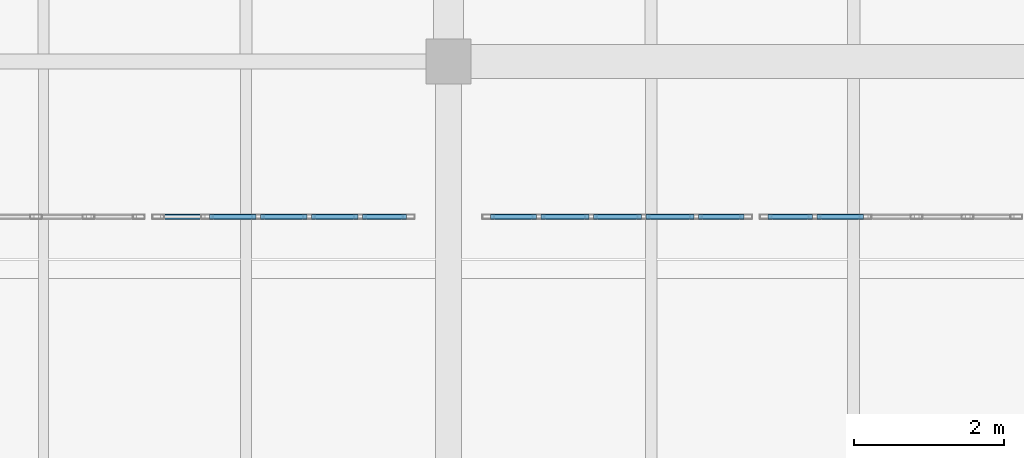
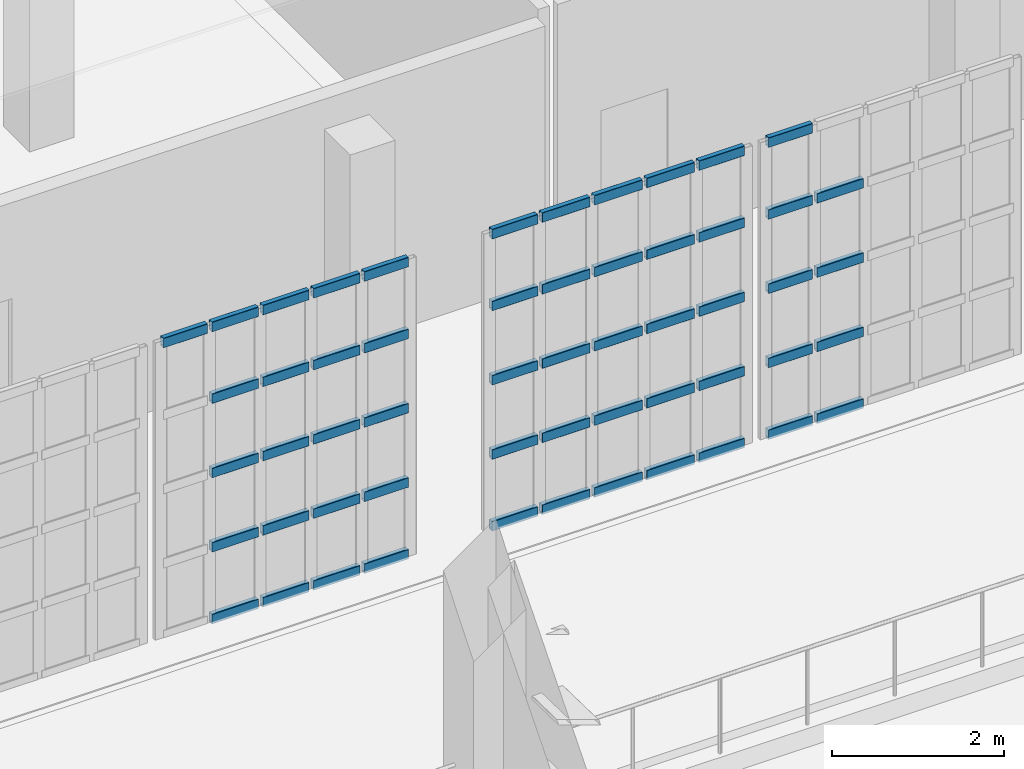
# One storey, part 40 of 73: 55 members, 3 elements without a shape of their own.
"""IFC4 building model written with IfcOpenShell, lengths in metres."""

from ifc_helpers import new_model, si_unit, direction, frame, origin, origin_2d, place, context, subcontext, project, spatial, hollow_rectangle, extrude, material, material_profile, profile_set, type_object, element, aggregate, save


model = new_model("IFC4")

# Units and contexts
model_context = context("Model", 3, precision=1e-05, world=origin(), true_north=direction((0.0, 1.0)))
body_context = subcontext(model_context, "Body", "Model", "MODEL_VIEW")
ifc_project = project(units=[si_unit("LENGTHUNIT", "METRE"), si_unit("AREAUNIT", "SQUARE_METRE"), si_unit("VOLUMEUNIT", "CUBIC_METRE"), si_unit("PLANEANGLEUNIT", "RADIAN"), si_unit("MASSUNIT", "GRAM", prefix="KILO")], contexts=[model_context])

# Site, building, storey
site_placement = place(None, origin())
site = spatial("IfcSite", under=ifc_project, at=site_placement, CompositionType="ELEMENT")
building_placement = place(site_placement, origin())
building = spatial("IfcBuilding", under=site, at=building_placement, Name="Kaelora Sail Theatre", CompositionType="ELEMENT")
storey_placement = place(building_placement, frame((0.0, 0.0, 10.199951171875)))
storey = spatial("IfcBuildingStorey", under=building, at=storey_placement, Name="L02", CompositionType="ELEMENT", Elevation=10.199951171875)

# Curtain wall, members
ifc_material_1 = material(Name="Anodised aluminium and solar-control low-E IGU", Category="aluminium")
curtain_wall_type = type_object("IfcCurtainWallType", Name="ARC-CW-CW-BRG", PredefinedType="NOTDEFINED", material=ifc_material_1)
curtain_wall_1_placement = place(storey_placement, origin())
curtain_wall_1 = element("IfcCurtainWall", 1, at=curtain_wall_1_placement, inside=storey, type_object=curtain_wall_type, Name="Glazed Foyer/Conservatory Curtain Wall FC2-S-L02-03", PredefinedType="NOTDEFINED")
ifc_material_2 = material(Name="Anodised aluminium 6063-T6", Category="aluminium")
ifc_material_profile = material_profile(ifc_material_2, hollow_rectangle(XDim=0.070068359375, YDim=0.139892578125, WallThickness=0.00390625, InnerFilletRadius=0.00390625, OuterFilletRadius=0.008056640625, at=origin_2d()), Name="ALU-TRAN 70x140x4")
ifc_profile_set = profile_set([ifc_material_profile], Name="Anodised aluminium 6063-T6")
member_type = type_object("IfcMemberType", Name="ARC-MEM-TR-140", PredefinedType="USERDEFINED", material=ifc_profile_set)
member_1_placement = place(storey_placement, frame((102.9599609375, 66.389892578125, 4.170166015625), z_axis=(1.0, 0.0, 0.0), x_axis=(0.0, 1.0, 0.0)))
member_1 = element("IfcMember", 2, at=member_1_placement, type_object=member_type, Name="CW-BRG transom 1.5", ObjectType="TRANSOM", PredefinedType="USERDEFINED", context=body_context, shape_type="SweptSolid", body=[
    extrude(hollow_rectangle(XDim=0.070068359375, YDim=0.139892578125, WallThickness=0.00390625, InnerFilletRadius=0.00390625, OuterFilletRadius=0.008056640625, at=origin_2d()), origin(), (0.0, 0.0, 1.0), 0.590087890625),
])
member_2_placement = place(storey_placement, frame((103.610107421875, 66.389892578125, 0.03515625), z_axis=(1.0, 0.0, 0.0), x_axis=(0.0, 1.0, 0.0)))
member_2 = element("IfcMember", 3, at=member_2_placement, type_object=member_type, Name="CW-BRG transom 2.1", ObjectType="TRANSOM", PredefinedType="USERDEFINED", context=body_context, shape_type="SweptSolid", body=[
    extrude(hollow_rectangle(XDim=0.070068359375, YDim=0.139892578125, WallThickness=0.00390625, InnerFilletRadius=0.00390625, OuterFilletRadius=0.008056640625, at=origin_2d()), origin(), (0.0, 0.0, 1.0), 0.619873046875),
])
member_3_placement = place(storey_placement, frame((103.610107421875, 66.389892578125, 1.05126953125), z_axis=(1.0, 0.0, 0.0), x_axis=(0.0, 1.0, 0.0)))
member_3 = element("IfcMember", 4, at=member_3_placement, type_object=member_type, Name="CW-BRG transom 2.2", ObjectType="TRANSOM", PredefinedType="USERDEFINED", context=body_context, shape_type="SweptSolid", body=[
    extrude(hollow_rectangle(XDim=0.070068359375, YDim=0.139892578125, WallThickness=0.00390625, InnerFilletRadius=0.00390625, OuterFilletRadius=0.008056640625, at=origin_2d()), origin(), (0.0, 0.0, 1.0), 0.619873046875),
])
member_4_placement = place(storey_placement, frame((103.610107421875, 66.389892578125, 2.1025390625), z_axis=(1.0, 0.0, 0.0), x_axis=(0.0, 1.0, 0.0)))
member_4 = element("IfcMember", 5, at=member_4_placement, type_object=member_type, Name="CW-BRG transom 2.3", ObjectType="TRANSOM", PredefinedType="USERDEFINED", context=body_context, shape_type="SweptSolid", body=[
    extrude(hollow_rectangle(XDim=0.070068359375, YDim=0.139892578125, WallThickness=0.00390625, InnerFilletRadius=0.00390625, OuterFilletRadius=0.008056640625, at=origin_2d()), origin(), (0.0, 0.0, 1.0), 0.619873046875),
])
member_5_placement = place(storey_placement, frame((103.610107421875, 66.389892578125, 3.15380859375), z_axis=(1.0, 0.0, 0.0), x_axis=(0.0, 1.0, 0.0)))
member_5 = element("IfcMember", 6, at=member_5_placement, type_object=member_type, Name="CW-BRG transom 2.4", ObjectType="TRANSOM", PredefinedType="USERDEFINED", context=body_context, shape_type="SweptSolid", body=[
    extrude(hollow_rectangle(XDim=0.070068359375, YDim=0.139892578125, WallThickness=0.00390625, InnerFilletRadius=0.00390625, OuterFilletRadius=0.008056640625, at=origin_2d()), origin(), (0.0, 0.0, 1.0), 0.619873046875),
])
member_6_placement = place(storey_placement, frame((103.610107421875, 66.389892578125, 4.170166015625), z_axis=(1.0, 0.0, 0.0), x_axis=(0.0, 1.0, 0.0)))
member_6 = element("IfcMember", 7, at=member_6_placement, type_object=member_type, Name="CW-BRG transom 2.5", ObjectType="TRANSOM", PredefinedType="USERDEFINED", context=body_context, shape_type="SweptSolid", body=[
    extrude(hollow_rectangle(XDim=0.070068359375, YDim=0.139892578125, WallThickness=0.00390625, InnerFilletRadius=0.00390625, OuterFilletRadius=0.008056640625, at=origin_2d()), origin(), (0.0, 0.0, 1.0), 0.619873046875),
])
member_7_placement = place(storey_placement, frame((104.2900390625, 66.389892578125, 0.03515625), z_axis=(1.0, 0.0, 0.0), x_axis=(0.0, 1.0, 0.0)))
member_7 = element("IfcMember", 8, at=member_7_placement, type_object=member_type, Name="CW-BRG transom 3.1", ObjectType="TRANSOM", PredefinedType="USERDEFINED", context=body_context, shape_type="SweptSolid", body=[
    extrude(hollow_rectangle(XDim=0.070068359375, YDim=0.139892578125, WallThickness=0.00390625, InnerFilletRadius=0.00390625, OuterFilletRadius=0.008056640625, at=origin_2d()), origin(), (0.0, 0.0, 1.0), 0.619873046875),
])
member_8_placement = place(storey_placement, frame((104.2900390625, 66.389892578125, 1.05126953125), z_axis=(1.0, 0.0, 0.0), x_axis=(0.0, 1.0, 0.0)))
member_8 = element("IfcMember", 9, at=member_8_placement, type_object=member_type, Name="CW-BRG transom 3.2", ObjectType="TRANSOM", PredefinedType="USERDEFINED", context=body_context, shape_type="SweptSolid", body=[
    extrude(hollow_rectangle(XDim=0.070068359375, YDim=0.139892578125, WallThickness=0.00390625, InnerFilletRadius=0.00390625, OuterFilletRadius=0.008056640625, at=origin_2d()), origin(), (0.0, 0.0, 1.0), 0.619873046875),
])
member_9_placement = place(storey_placement, frame((104.2900390625, 66.389892578125, 2.1025390625), z_axis=(1.0, 0.0, 0.0), x_axis=(0.0, 1.0, 0.0)))
member_9 = element("IfcMember", 10, at=member_9_placement, type_object=member_type, Name="CW-BRG transom 3.3", ObjectType="TRANSOM", PredefinedType="USERDEFINED", context=body_context, shape_type="SweptSolid", body=[
    extrude(hollow_rectangle(XDim=0.070068359375, YDim=0.139892578125, WallThickness=0.00390625, InnerFilletRadius=0.00390625, OuterFilletRadius=0.008056640625, at=origin_2d()), origin(), (0.0, 0.0, 1.0), 0.619873046875),
])
member_10_placement = place(storey_placement, frame((104.2900390625, 66.389892578125, 3.15380859375), z_axis=(1.0, 0.0, 0.0), x_axis=(0.0, 1.0, 0.0)))
member_10 = element("IfcMember", 11, at=member_10_placement, type_object=member_type, Name="CW-BRG transom 3.4", ObjectType="TRANSOM", PredefinedType="USERDEFINED", context=body_context, shape_type="SweptSolid", body=[
    extrude(hollow_rectangle(XDim=0.070068359375, YDim=0.139892578125, WallThickness=0.00390625, InnerFilletRadius=0.00390625, OuterFilletRadius=0.008056640625, at=origin_2d()), origin(), (0.0, 0.0, 1.0), 0.619873046875),
])
member_11_placement = place(storey_placement, frame((104.2900390625, 66.389892578125, 4.170166015625), z_axis=(1.0, 0.0, 0.0), x_axis=(0.0, 1.0, 0.0)))
member_11 = element("IfcMember", 12, at=member_11_placement, type_object=member_type, Name="CW-BRG transom 3.5", ObjectType="TRANSOM", PredefinedType="USERDEFINED", context=body_context, shape_type="SweptSolid", body=[
    extrude(hollow_rectangle(XDim=0.070068359375, YDim=0.139892578125, WallThickness=0.00390625, InnerFilletRadius=0.00390625, OuterFilletRadius=0.008056640625, at=origin_2d()), origin(), (0.0, 0.0, 1.0), 0.619873046875),
])
member_12_placement = place(storey_placement, frame((104.969970703125, 66.389892578125, 0.03515625), z_axis=(1.0, 0.0, 0.0), x_axis=(0.0, 1.0, 0.0)))
member_12 = element("IfcMember", 13, at=member_12_placement, type_object=member_type, Name="CW-BRG transom 4.1", ObjectType="TRANSOM", PredefinedType="USERDEFINED", context=body_context, shape_type="SweptSolid", body=[
    extrude(hollow_rectangle(XDim=0.070068359375, YDim=0.139892578125, WallThickness=0.00390625, InnerFilletRadius=0.00390625, OuterFilletRadius=0.008056640625, at=origin_2d()), origin(), (0.0, 0.0, 1.0), 0.6201171875),
])
member_13_placement = place(storey_placement, frame((104.969970703125, 66.389892578125, 1.05126953125), z_axis=(1.0, 0.0, 0.0), x_axis=(0.0, 1.0, 0.0)))
member_13 = element("IfcMember", 14, at=member_13_placement, type_object=member_type, Name="CW-BRG transom 4.2", ObjectType="TRANSOM", PredefinedType="USERDEFINED", context=body_context, shape_type="SweptSolid", body=[
    extrude(hollow_rectangle(XDim=0.070068359375, YDim=0.139892578125, WallThickness=0.00390625, InnerFilletRadius=0.00390625, OuterFilletRadius=0.008056640625, at=origin_2d()), origin(), (0.0, 0.0, 1.0), 0.6201171875),
])
member_14_placement = place(storey_placement, frame((104.969970703125, 66.389892578125, 2.1025390625), z_axis=(1.0, 0.0, 0.0), x_axis=(0.0, 1.0, 0.0)))
member_14 = element("IfcMember", 15, at=member_14_placement, type_object=member_type, Name="CW-BRG transom 4.3", ObjectType="TRANSOM", PredefinedType="USERDEFINED", context=body_context, shape_type="SweptSolid", body=[
    extrude(hollow_rectangle(XDim=0.070068359375, YDim=0.139892578125, WallThickness=0.00390625, InnerFilletRadius=0.00390625, OuterFilletRadius=0.008056640625, at=origin_2d()), origin(), (0.0, 0.0, 1.0), 0.6201171875),
])
member_15_placement = place(storey_placement, frame((104.969970703125, 66.389892578125, 3.15380859375), z_axis=(1.0, 0.0, 0.0), x_axis=(0.0, 1.0, 0.0)))
member_15 = element("IfcMember", 16, at=member_15_placement, type_object=member_type, Name="CW-BRG transom 4.4", ObjectType="TRANSOM", PredefinedType="USERDEFINED", context=body_context, shape_type="SweptSolid", body=[
    extrude(hollow_rectangle(XDim=0.070068359375, YDim=0.139892578125, WallThickness=0.00390625, InnerFilletRadius=0.00390625, OuterFilletRadius=0.008056640625, at=origin_2d()), origin(), (0.0, 0.0, 1.0), 0.6201171875),
])
member_16_placement = place(storey_placement, frame((104.969970703125, 66.389892578125, 4.170166015625), z_axis=(1.0, 0.0, 0.0), x_axis=(0.0, 1.0, 0.0)))
member_16 = element("IfcMember", 17, at=member_16_placement, type_object=member_type, Name="CW-BRG transom 4.5", ObjectType="TRANSOM", PredefinedType="USERDEFINED", context=body_context, shape_type="SweptSolid", body=[
    extrude(hollow_rectangle(XDim=0.070068359375, YDim=0.139892578125, WallThickness=0.00390625, InnerFilletRadius=0.00390625, OuterFilletRadius=0.008056640625, at=origin_2d()), origin(), (0.0, 0.0, 1.0), 0.6201171875),
])
member_17_placement = place(storey_placement, frame((105.64990234375, 66.389892578125, 0.03515625), z_axis=(1.0, 0.0, 0.0), x_axis=(0.0, 1.0, 0.0)))
member_17 = element("IfcMember", 18, at=member_17_placement, type_object=member_type, Name="CW-BRG transom 5.1", ObjectType="TRANSOM", PredefinedType="USERDEFINED", context=body_context, shape_type="SweptSolid", body=[
    extrude(hollow_rectangle(XDim=0.070068359375, YDim=0.139892578125, WallThickness=0.00390625, InnerFilletRadius=0.00390625, OuterFilletRadius=0.008056640625, at=origin_2d()), origin(), (0.0, 0.0, 1.0), 0.590087890625),
])
member_18_placement = place(storey_placement, frame((105.64990234375, 66.389892578125, 1.05126953125), z_axis=(1.0, 0.0, 0.0), x_axis=(0.0, 1.0, 0.0)))
member_18 = element("IfcMember", 19, at=member_18_placement, type_object=member_type, Name="CW-BRG transom 5.2", ObjectType="TRANSOM", PredefinedType="USERDEFINED", context=body_context, shape_type="SweptSolid", body=[
    extrude(hollow_rectangle(XDim=0.070068359375, YDim=0.139892578125, WallThickness=0.00390625, InnerFilletRadius=0.00390625, OuterFilletRadius=0.008056640625, at=origin_2d()), origin(), (0.0, 0.0, 1.0), 0.590087890625),
])
member_19_placement = place(storey_placement, frame((105.64990234375, 66.389892578125, 2.1025390625), z_axis=(1.0, 0.0, 0.0), x_axis=(0.0, 1.0, 0.0)))
member_19 = element("IfcMember", 20, at=member_19_placement, type_object=member_type, Name="CW-BRG transom 5.3", ObjectType="TRANSOM", PredefinedType="USERDEFINED", context=body_context, shape_type="SweptSolid", body=[
    extrude(hollow_rectangle(XDim=0.070068359375, YDim=0.139892578125, WallThickness=0.00390625, InnerFilletRadius=0.00390625, OuterFilletRadius=0.008056640625, at=origin_2d()), origin(), (0.0, 0.0, 1.0), 0.590087890625),
])
member_20_placement = place(storey_placement, frame((105.64990234375, 66.389892578125, 3.15380859375), z_axis=(1.0, 0.0, 0.0), x_axis=(0.0, 1.0, 0.0)))
member_20 = element("IfcMember", 21, at=member_20_placement, type_object=member_type, Name="CW-BRG transom 5.4", ObjectType="TRANSOM", PredefinedType="USERDEFINED", context=body_context, shape_type="SweptSolid", body=[
    extrude(hollow_rectangle(XDim=0.070068359375, YDim=0.139892578125, WallThickness=0.00390625, InnerFilletRadius=0.00390625, OuterFilletRadius=0.008056640625, at=origin_2d()), origin(), (0.0, 0.0, 1.0), 0.590087890625),
])
member_21_placement = place(storey_placement, frame((105.64990234375, 66.389892578125, 4.170166015625), z_axis=(1.0, 0.0, 0.0), x_axis=(0.0, 1.0, 0.0)))
member_21 = element("IfcMember", 22, at=member_21_placement, type_object=member_type, Name="CW-BRG transom 5.5", ObjectType="TRANSOM", PredefinedType="USERDEFINED", context=body_context, shape_type="SweptSolid", body=[
    extrude(hollow_rectangle(XDim=0.070068359375, YDim=0.139892578125, WallThickness=0.00390625, InnerFilletRadius=0.00390625, OuterFilletRadius=0.008056640625, at=origin_2d()), origin(), (0.0, 0.0, 1.0), 0.590087890625),
])
aggregate(curtain_wall_1, [member_1, member_2, member_3, member_4, member_5, member_6, member_7, member_8, member_9, member_10, member_11, member_12, member_13, member_14, member_15, member_16, member_17, member_18, member_19, member_20, member_21])

curtain_wall_2_placement = place(storey_placement, origin())
curtain_wall_2 = element("IfcCurtainWall", 23, at=curtain_wall_2_placement, inside=storey, type_object=curtain_wall_type, Name="Glazed Foyer/Conservatory Curtain Wall FC2-S-L02-04", PredefinedType="NOTDEFINED")
member_22_placement = place(storey_placement, frame((107.360107421875, 66.389892578125, 0.03515625), z_axis=(1.0, 0.0, 0.0), x_axis=(0.0, 1.0, 0.0)))
member_22 = element("IfcMember", 24, at=member_22_placement, type_object=member_type, Name="CW-BRG transom 1.1", ObjectType="TRANSOM", PredefinedType="USERDEFINED", context=body_context, shape_type="SweptSolid", body=[
    extrude(hollow_rectangle(XDim=0.070068359375, YDim=0.139892578125, WallThickness=0.00390625, InnerFilletRadius=0.00390625, OuterFilletRadius=0.008056640625, at=origin_2d()), origin(), (0.0, 0.0, 1.0), 0.60986328125),
])
member_23_placement = place(storey_placement, frame((107.360107421875, 66.389892578125, 1.05126953125), z_axis=(1.0, 0.0, 0.0), x_axis=(0.0, 1.0, 0.0)))
member_23 = element("IfcMember", 25, at=member_23_placement, type_object=member_type, Name="CW-BRG transom 1.2", ObjectType="TRANSOM", PredefinedType="USERDEFINED", context=body_context, shape_type="SweptSolid", body=[
    extrude(hollow_rectangle(XDim=0.070068359375, YDim=0.139892578125, WallThickness=0.00390625, InnerFilletRadius=0.00390625, OuterFilletRadius=0.008056640625, at=origin_2d()), origin(), (0.0, 0.0, 1.0), 0.60986328125),
])
member_24_placement = place(storey_placement, frame((107.360107421875, 66.389892578125, 2.1025390625), z_axis=(1.0, 0.0, 0.0), x_axis=(0.0, 1.0, 0.0)))
member_24 = element("IfcMember", 26, at=member_24_placement, type_object=member_type, Name="CW-BRG transom 1.3", ObjectType="TRANSOM", PredefinedType="USERDEFINED", context=body_context, shape_type="SweptSolid", body=[
    extrude(hollow_rectangle(XDim=0.070068359375, YDim=0.139892578125, WallThickness=0.00390625, InnerFilletRadius=0.00390625, OuterFilletRadius=0.008056640625, at=origin_2d()), origin(), (0.0, 0.0, 1.0), 0.60986328125),
])
member_25_placement = place(storey_placement, frame((107.360107421875, 66.389892578125, 3.15380859375), z_axis=(1.0, 0.0, 0.0), x_axis=(0.0, 1.0, 0.0)))
member_25 = element("IfcMember", 27, at=member_25_placement, type_object=member_type, Name="CW-BRG transom 1.4", ObjectType="TRANSOM", PredefinedType="USERDEFINED", context=body_context, shape_type="SweptSolid", body=[
    extrude(hollow_rectangle(XDim=0.070068359375, YDim=0.139892578125, WallThickness=0.00390625, InnerFilletRadius=0.00390625, OuterFilletRadius=0.008056640625, at=origin_2d()), origin(), (0.0, 0.0, 1.0), 0.60986328125),
])
member_26_placement = place(storey_placement, frame((107.360107421875, 66.389892578125, 4.170166015625), z_axis=(1.0, 0.0, 0.0), x_axis=(0.0, 1.0, 0.0)))
member_26 = element("IfcMember", 28, at=member_26_placement, type_object=member_type, Name="CW-BRG transom 1.5", ObjectType="TRANSOM", PredefinedType="USERDEFINED", context=body_context, shape_type="SweptSolid", body=[
    extrude(hollow_rectangle(XDim=0.070068359375, YDim=0.139892578125, WallThickness=0.00390625, InnerFilletRadius=0.00390625, OuterFilletRadius=0.008056640625, at=origin_2d()), origin(), (0.0, 0.0, 1.0), 0.60986328125),
])
member_27_placement = place(storey_placement, frame((108.030029296875, 66.389892578125, 0.03515625), z_axis=(1.0, 0.0, 0.0), x_axis=(0.0, 1.0, 0.0)))
member_27 = element("IfcMember", 29, at=member_27_placement, type_object=member_type, Name="CW-BRG transom 2.1", ObjectType="TRANSOM", PredefinedType="USERDEFINED", context=body_context, shape_type="SweptSolid", body=[
    extrude(hollow_rectangle(XDim=0.070068359375, YDim=0.139892578125, WallThickness=0.00390625, InnerFilletRadius=0.00390625, OuterFilletRadius=0.008056640625, at=origin_2d()), origin(), (0.0, 0.0, 1.0), 0.639892578125),
])
member_28_placement = place(storey_placement, frame((108.030029296875, 66.389892578125, 1.05126953125), z_axis=(1.0, 0.0, 0.0), x_axis=(0.0, 1.0, 0.0)))
member_28 = element("IfcMember", 30, at=member_28_placement, type_object=member_type, Name="CW-BRG transom 2.2", ObjectType="TRANSOM", PredefinedType="USERDEFINED", context=body_context, shape_type="SweptSolid", body=[
    extrude(hollow_rectangle(XDim=0.070068359375, YDim=0.139892578125, WallThickness=0.00390625, InnerFilletRadius=0.00390625, OuterFilletRadius=0.008056640625, at=origin_2d()), origin(), (0.0, 0.0, 1.0), 0.639892578125),
])
member_29_placement = place(storey_placement, frame((108.030029296875, 66.389892578125, 2.1025390625), z_axis=(1.0, 0.0, 0.0), x_axis=(0.0, 1.0, 0.0)))
member_29 = element("IfcMember", 31, at=member_29_placement, type_object=member_type, Name="CW-BRG transom 2.3", ObjectType="TRANSOM", PredefinedType="USERDEFINED", context=body_context, shape_type="SweptSolid", body=[
    extrude(hollow_rectangle(XDim=0.070068359375, YDim=0.139892578125, WallThickness=0.00390625, InnerFilletRadius=0.00390625, OuterFilletRadius=0.008056640625, at=origin_2d()), origin(), (0.0, 0.0, 1.0), 0.639892578125),
])
member_30_placement = place(storey_placement, frame((108.030029296875, 66.389892578125, 3.15380859375), z_axis=(1.0, 0.0, 0.0), x_axis=(0.0, 1.0, 0.0)))
member_30 = element("IfcMember", 32, at=member_30_placement, type_object=member_type, Name="CW-BRG transom 2.4", ObjectType="TRANSOM", PredefinedType="USERDEFINED", context=body_context, shape_type="SweptSolid", body=[
    extrude(hollow_rectangle(XDim=0.070068359375, YDim=0.139892578125, WallThickness=0.00390625, InnerFilletRadius=0.00390625, OuterFilletRadius=0.008056640625, at=origin_2d()), origin(), (0.0, 0.0, 1.0), 0.639892578125),
])
member_31_placement = place(storey_placement, frame((108.030029296875, 66.389892578125, 4.170166015625), z_axis=(1.0, 0.0, 0.0), x_axis=(0.0, 1.0, 0.0)))
member_31 = element("IfcMember", 33, at=member_31_placement, type_object=member_type, Name="CW-BRG transom 2.5", ObjectType="TRANSOM", PredefinedType="USERDEFINED", context=body_context, shape_type="SweptSolid", body=[
    extrude(hollow_rectangle(XDim=0.070068359375, YDim=0.139892578125, WallThickness=0.00390625, InnerFilletRadius=0.00390625, OuterFilletRadius=0.008056640625, at=origin_2d()), origin(), (0.0, 0.0, 1.0), 0.639892578125),
])
member_32_placement = place(storey_placement, frame((108.72998046875, 66.389892578125, 0.03515625), z_axis=(1.0, 0.0, 0.0), x_axis=(0.0, 1.0, 0.0)))
member_32 = element("IfcMember", 34, at=member_32_placement, type_object=member_type, Name="CW-BRG transom 3.1", ObjectType="TRANSOM", PredefinedType="USERDEFINED", context=body_context, shape_type="SweptSolid", body=[
    extrude(hollow_rectangle(XDim=0.070068359375, YDim=0.139892578125, WallThickness=0.00390625, InnerFilletRadius=0.00390625, OuterFilletRadius=0.008056640625, at=origin_2d()), origin(), (0.0, 0.0, 1.0), 0.64013671875),
])
member_33_placement = place(storey_placement, frame((108.72998046875, 66.389892578125, 1.05126953125), z_axis=(1.0, 0.0, 0.0), x_axis=(0.0, 1.0, 0.0)))
member_33 = element("IfcMember", 35, at=member_33_placement, type_object=member_type, Name="CW-BRG transom 3.2", ObjectType="TRANSOM", PredefinedType="USERDEFINED", context=body_context, shape_type="SweptSolid", body=[
    extrude(hollow_rectangle(XDim=0.070068359375, YDim=0.139892578125, WallThickness=0.00390625, InnerFilletRadius=0.00390625, OuterFilletRadius=0.008056640625, at=origin_2d()), origin(), (0.0, 0.0, 1.0), 0.64013671875),
])
member_34_placement = place(storey_placement, frame((108.72998046875, 66.389892578125, 2.1025390625), z_axis=(1.0, 0.0, 0.0), x_axis=(0.0, 1.0, 0.0)))
member_34 = element("IfcMember", 36, at=member_34_placement, type_object=member_type, Name="CW-BRG transom 3.3", ObjectType="TRANSOM", PredefinedType="USERDEFINED", context=body_context, shape_type="SweptSolid", body=[
    extrude(hollow_rectangle(XDim=0.070068359375, YDim=0.139892578125, WallThickness=0.00390625, InnerFilletRadius=0.00390625, OuterFilletRadius=0.008056640625, at=origin_2d()), origin(), (0.0, 0.0, 1.0), 0.64013671875),
])
member_35_placement = place(storey_placement, frame((108.72998046875, 66.389892578125, 3.15380859375), z_axis=(1.0, 0.0, 0.0), x_axis=(0.0, 1.0, 0.0)))
member_35 = element("IfcMember", 37, at=member_35_placement, type_object=member_type, Name="CW-BRG transom 3.4", ObjectType="TRANSOM", PredefinedType="USERDEFINED", context=body_context, shape_type="SweptSolid", body=[
    extrude(hollow_rectangle(XDim=0.070068359375, YDim=0.139892578125, WallThickness=0.00390625, InnerFilletRadius=0.00390625, OuterFilletRadius=0.008056640625, at=origin_2d()), origin(), (0.0, 0.0, 1.0), 0.64013671875),
])
member_36_placement = place(storey_placement, frame((108.72998046875, 66.389892578125, 4.170166015625), z_axis=(1.0, 0.0, 0.0), x_axis=(0.0, 1.0, 0.0)))
member_36 = element("IfcMember", 38, at=member_36_placement, type_object=member_type, Name="CW-BRG transom 3.5", ObjectType="TRANSOM", PredefinedType="USERDEFINED", context=body_context, shape_type="SweptSolid", body=[
    extrude(hollow_rectangle(XDim=0.070068359375, YDim=0.139892578125, WallThickness=0.00390625, InnerFilletRadius=0.00390625, OuterFilletRadius=0.008056640625, at=origin_2d()), origin(), (0.0, 0.0, 1.0), 0.64013671875),
])
member_37_placement = place(storey_placement, frame((109.429931640625, 66.389892578125, 0.03515625), z_axis=(1.0, 0.0, 0.0), x_axis=(0.0, 1.0, 0.0)))
member_37 = element("IfcMember", 39, at=member_37_placement, type_object=member_type, Name="CW-BRG transom 4.1", ObjectType="TRANSOM", PredefinedType="USERDEFINED", context=body_context, shape_type="SweptSolid", body=[
    extrude(hollow_rectangle(XDim=0.070068359375, YDim=0.139892578125, WallThickness=0.00390625, InnerFilletRadius=0.00390625, OuterFilletRadius=0.008056640625, at=origin_2d()), origin(), (0.0, 0.0, 1.0), 0.64013671875),
])
member_38_placement = place(storey_placement, frame((109.429931640625, 66.389892578125, 1.05126953125), z_axis=(1.0, 0.0, 0.0), x_axis=(0.0, 1.0, 0.0)))
member_38 = element("IfcMember", 40, at=member_38_placement, type_object=member_type, Name="CW-BRG transom 4.2", ObjectType="TRANSOM", PredefinedType="USERDEFINED", context=body_context, shape_type="SweptSolid", body=[
    extrude(hollow_rectangle(XDim=0.070068359375, YDim=0.139892578125, WallThickness=0.00390625, InnerFilletRadius=0.00390625, OuterFilletRadius=0.008056640625, at=origin_2d()), origin(), (0.0, 0.0, 1.0), 0.64013671875),
])
member_39_placement = place(storey_placement, frame((109.429931640625, 66.389892578125, 2.1025390625), z_axis=(1.0, 0.0, 0.0), x_axis=(0.0, 1.0, 0.0)))
member_39 = element("IfcMember", 41, at=member_39_placement, type_object=member_type, Name="CW-BRG transom 4.3", ObjectType="TRANSOM", PredefinedType="USERDEFINED", context=body_context, shape_type="SweptSolid", body=[
    extrude(hollow_rectangle(XDim=0.070068359375, YDim=0.139892578125, WallThickness=0.00390625, InnerFilletRadius=0.00390625, OuterFilletRadius=0.008056640625, at=origin_2d()), origin(), (0.0, 0.0, 1.0), 0.64013671875),
])
member_40_placement = place(storey_placement, frame((109.429931640625, 66.389892578125, 3.15380859375), z_axis=(1.0, 0.0, 0.0), x_axis=(0.0, 1.0, 0.0)))
member_40 = element("IfcMember", 42, at=member_40_placement, type_object=member_type, Name="CW-BRG transom 4.4", ObjectType="TRANSOM", PredefinedType="USERDEFINED", context=body_context, shape_type="SweptSolid", body=[
    extrude(hollow_rectangle(XDim=0.070068359375, YDim=0.139892578125, WallThickness=0.00390625, InnerFilletRadius=0.00390625, OuterFilletRadius=0.008056640625, at=origin_2d()), origin(), (0.0, 0.0, 1.0), 0.64013671875),
])
member_41_placement = place(storey_placement, frame((109.429931640625, 66.389892578125, 4.170166015625), z_axis=(1.0, 0.0, 0.0), x_axis=(0.0, 1.0, 0.0)))
member_41 = element("IfcMember", 43, at=member_41_placement, type_object=member_type, Name="CW-BRG transom 4.5", ObjectType="TRANSOM", PredefinedType="USERDEFINED", context=body_context, shape_type="SweptSolid", body=[
    extrude(hollow_rectangle(XDim=0.070068359375, YDim=0.139892578125, WallThickness=0.00390625, InnerFilletRadius=0.00390625, OuterFilletRadius=0.008056640625, at=origin_2d()), origin(), (0.0, 0.0, 1.0), 0.64013671875),
])
member_42_placement = place(storey_placement, frame((110.1298828125, 66.389892578125, 0.03515625), z_axis=(1.0, 0.0, 0.0), x_axis=(0.0, 1.0, 0.0)))
member_42 = element("IfcMember", 44, at=member_42_placement, type_object=member_type, Name="CW-BRG transom 5.1", ObjectType="TRANSOM", PredefinedType="USERDEFINED", context=body_context, shape_type="SweptSolid", body=[
    extrude(hollow_rectangle(XDim=0.070068359375, YDim=0.139892578125, WallThickness=0.00390625, InnerFilletRadius=0.00390625, OuterFilletRadius=0.008056640625, at=origin_2d()), origin(), (0.0, 0.0, 1.0), 0.610107421875),
])
member_43_placement = place(storey_placement, frame((110.1298828125, 66.389892578125, 1.05126953125), z_axis=(1.0, 0.0, 0.0), x_axis=(0.0, 1.0, 0.0)))
member_43 = element("IfcMember", 45, at=member_43_placement, type_object=member_type, Name="CW-BRG transom 5.2", ObjectType="TRANSOM", PredefinedType="USERDEFINED", context=body_context, shape_type="SweptSolid", body=[
    extrude(hollow_rectangle(XDim=0.070068359375, YDim=0.139892578125, WallThickness=0.00390625, InnerFilletRadius=0.00390625, OuterFilletRadius=0.008056640625, at=origin_2d()), origin(), (0.0, 0.0, 1.0), 0.610107421875),
])
member_44_placement = place(storey_placement, frame((110.1298828125, 66.389892578125, 2.1025390625), z_axis=(1.0, 0.0, 0.0), x_axis=(0.0, 1.0, 0.0)))
member_44 = element("IfcMember", 46, at=member_44_placement, type_object=member_type, Name="CW-BRG transom 5.3", ObjectType="TRANSOM", PredefinedType="USERDEFINED", context=body_context, shape_type="SweptSolid", body=[
    extrude(hollow_rectangle(XDim=0.070068359375, YDim=0.139892578125, WallThickness=0.00390625, InnerFilletRadius=0.00390625, OuterFilletRadius=0.008056640625, at=origin_2d()), origin(), (0.0, 0.0, 1.0), 0.610107421875),
])
member_45_placement = place(storey_placement, frame((110.1298828125, 66.389892578125, 3.15380859375), z_axis=(1.0, 0.0, 0.0), x_axis=(0.0, 1.0, 0.0)))
member_45 = element("IfcMember", 47, at=member_45_placement, type_object=member_type, Name="CW-BRG transom 5.4", ObjectType="TRANSOM", PredefinedType="USERDEFINED", context=body_context, shape_type="SweptSolid", body=[
    extrude(hollow_rectangle(XDim=0.070068359375, YDim=0.139892578125, WallThickness=0.00390625, InnerFilletRadius=0.00390625, OuterFilletRadius=0.008056640625, at=origin_2d()), origin(), (0.0, 0.0, 1.0), 0.610107421875),
])
member_46_placement = place(storey_placement, frame((110.1298828125, 66.389892578125, 4.170166015625), z_axis=(1.0, 0.0, 0.0), x_axis=(0.0, 1.0, 0.0)))
member_46 = element("IfcMember", 48, at=member_46_placement, type_object=member_type, Name="CW-BRG transom 5.5", ObjectType="TRANSOM", PredefinedType="USERDEFINED", context=body_context, shape_type="SweptSolid", body=[
    extrude(hollow_rectangle(XDim=0.070068359375, YDim=0.139892578125, WallThickness=0.00390625, InnerFilletRadius=0.00390625, OuterFilletRadius=0.008056640625, at=origin_2d()), origin(), (0.0, 0.0, 1.0), 0.610107421875),
])
aggregate(curtain_wall_2, [member_22, member_23, member_24, member_25, member_26, member_27, member_28, member_29, member_30, member_31, member_32, member_33, member_34, member_35, member_36, member_37, member_38, member_39, member_40, member_41, member_42, member_43, member_44, member_45, member_46])

curtain_wall_3_placement = place(storey_placement, origin())
curtain_wall_3 = element("IfcCurtainWall", 49, at=curtain_wall_3_placement, inside=storey, type_object=curtain_wall_type, Name="Glazed Foyer/Conservatory Curtain Wall FC2-S-L02-05", PredefinedType="NOTDEFINED")
member_47_placement = place(storey_placement, frame((111.06005859375, 66.389892578125, 0.03515625), z_axis=(1.0, 0.0, 0.0), x_axis=(0.0, 1.0, 0.0)))
member_47 = element("IfcMember", 50, at=member_47_placement, type_object=member_type, Name="CW-BRG transom 1.1", ObjectType="TRANSOM", PredefinedType="USERDEFINED", context=body_context, shape_type="SweptSolid", body=[
    extrude(hollow_rectangle(XDim=0.070068359375, YDim=0.139892578125, WallThickness=0.00390625, InnerFilletRadius=0.00390625, OuterFilletRadius=0.008056640625, at=origin_2d()), origin(), (0.0, 0.0, 1.0), 0.58984375),
])
member_48_placement = place(storey_placement, frame((111.06005859375, 66.389892578125, 1.05126953125), z_axis=(1.0, 0.0, 0.0), x_axis=(0.0, 1.0, 0.0)))
member_48 = element("IfcMember", 51, at=member_48_placement, type_object=member_type, Name="CW-BRG transom 1.2", ObjectType="TRANSOM", PredefinedType="USERDEFINED", context=body_context, shape_type="SweptSolid", body=[
    extrude(hollow_rectangle(XDim=0.070068359375, YDim=0.139892578125, WallThickness=0.00390625, InnerFilletRadius=0.00390625, OuterFilletRadius=0.008056640625, at=origin_2d()), origin(), (0.0, 0.0, 1.0), 0.58984375),
])
member_49_placement = place(storey_placement, frame((111.06005859375, 66.389892578125, 2.1025390625), z_axis=(1.0, 0.0, 0.0), x_axis=(0.0, 1.0, 0.0)))
member_49 = element("IfcMember", 52, at=member_49_placement, type_object=member_type, Name="CW-BRG transom 1.3", ObjectType="TRANSOM", PredefinedType="USERDEFINED", context=body_context, shape_type="SweptSolid", body=[
    extrude(hollow_rectangle(XDim=0.070068359375, YDim=0.139892578125, WallThickness=0.00390625, InnerFilletRadius=0.00390625, OuterFilletRadius=0.008056640625, at=origin_2d()), origin(), (0.0, 0.0, 1.0), 0.58984375),
])
member_50_placement = place(storey_placement, frame((111.06005859375, 66.389892578125, 3.15380859375), z_axis=(1.0, 0.0, 0.0), x_axis=(0.0, 1.0, 0.0)))
member_50 = element("IfcMember", 53, at=member_50_placement, type_object=member_type, Name="CW-BRG transom 1.4", ObjectType="TRANSOM", PredefinedType="USERDEFINED", context=body_context, shape_type="SweptSolid", body=[
    extrude(hollow_rectangle(XDim=0.070068359375, YDim=0.139892578125, WallThickness=0.00390625, InnerFilletRadius=0.00390625, OuterFilletRadius=0.008056640625, at=origin_2d()), origin(), (0.0, 0.0, 1.0), 0.58984375),
])
member_51_placement = place(storey_placement, frame((111.06005859375, 66.389892578125, 4.170166015625), z_axis=(1.0, 0.0, 0.0), x_axis=(0.0, 1.0, 0.0)))
member_51 = element("IfcMember", 54, at=member_51_placement, type_object=member_type, Name="CW-BRG transom 1.5", ObjectType="TRANSOM", PredefinedType="USERDEFINED", context=body_context, shape_type="SweptSolid", body=[
    extrude(hollow_rectangle(XDim=0.070068359375, YDim=0.139892578125, WallThickness=0.00390625, InnerFilletRadius=0.00390625, OuterFilletRadius=0.008056640625, at=origin_2d()), origin(), (0.0, 0.0, 1.0), 0.58984375),
])
member_52_placement = place(storey_placement, frame((111.7099609375, 66.389892578125, 0.03515625), z_axis=(1.0, 0.0, 0.0), x_axis=(0.0, 1.0, 0.0)))
member_52 = element("IfcMember", 55, at=member_52_placement, type_object=member_type, Name="CW-BRG transom 2.1", ObjectType="TRANSOM", PredefinedType="USERDEFINED", context=body_context, shape_type="SweptSolid", body=[
    extrude(hollow_rectangle(XDim=0.070068359375, YDim=0.139892578125, WallThickness=0.00390625, InnerFilletRadius=0.00390625, OuterFilletRadius=0.008056640625, at=origin_2d()), origin(), (0.0, 0.0, 1.0), 0.6201171875),
])
member_53_placement = place(storey_placement, frame((111.7099609375, 66.389892578125, 1.05126953125), z_axis=(1.0, 0.0, 0.0), x_axis=(0.0, 1.0, 0.0)))
member_53 = element("IfcMember", 56, at=member_53_placement, type_object=member_type, Name="CW-BRG transom 2.2", ObjectType="TRANSOM", PredefinedType="USERDEFINED", context=body_context, shape_type="SweptSolid", body=[
    extrude(hollow_rectangle(XDim=0.070068359375, YDim=0.139892578125, WallThickness=0.00390625, InnerFilletRadius=0.00390625, OuterFilletRadius=0.008056640625, at=origin_2d()), origin(), (0.0, 0.0, 1.0), 0.6201171875),
])
member_54_placement = place(storey_placement, frame((111.7099609375, 66.389892578125, 2.1025390625), z_axis=(1.0, 0.0, 0.0), x_axis=(0.0, 1.0, 0.0)))
member_54 = element("IfcMember", 57, at=member_54_placement, type_object=member_type, Name="CW-BRG transom 2.3", ObjectType="TRANSOM", PredefinedType="USERDEFINED", context=body_context, shape_type="SweptSolid", body=[
    extrude(hollow_rectangle(XDim=0.070068359375, YDim=0.139892578125, WallThickness=0.00390625, InnerFilletRadius=0.00390625, OuterFilletRadius=0.008056640625, at=origin_2d()), origin(), (0.0, 0.0, 1.0), 0.6201171875),
])
member_55_placement = place(storey_placement, frame((111.7099609375, 66.389892578125, 3.15380859375), z_axis=(1.0, 0.0, 0.0), x_axis=(0.0, 1.0, 0.0)))
member_55 = element("IfcMember", 58, at=member_55_placement, type_object=member_type, Name="CW-BRG transom 2.4", ObjectType="TRANSOM", PredefinedType="USERDEFINED", context=body_context, shape_type="SweptSolid", body=[
    extrude(hollow_rectangle(XDim=0.070068359375, YDim=0.139892578125, WallThickness=0.00390625, InnerFilletRadius=0.00390625, OuterFilletRadius=0.008056640625, at=origin_2d()), origin(), (0.0, 0.0, 1.0), 0.6201171875),
])
aggregate(curtain_wall_3, [member_47, member_48, member_49, member_50, member_51, member_52, member_53, member_54, member_55])

save(model, "model.ifc")
